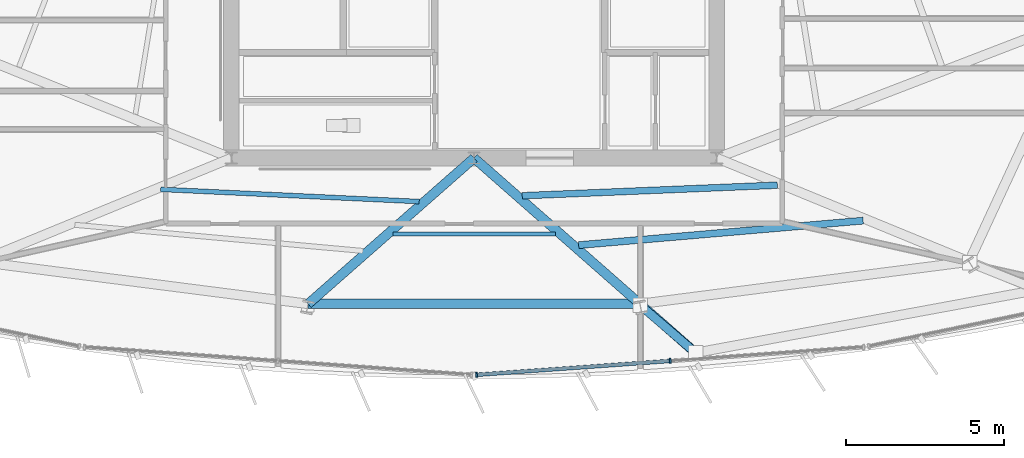
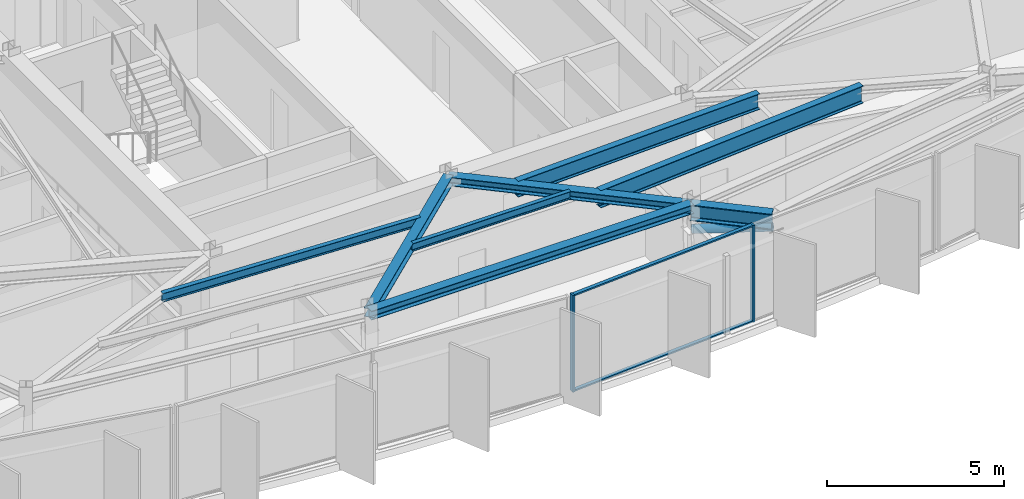
# One storey, part 3 of 13: 8 beams, 5 members, 1 element without a shape of its own.
"""IFC4 building model written with IfcOpenShell, lengths in metres."""

from ifc_helpers import new_model, si_unit, direction, frame, origin, origin_2d, place, context, subcontext, project, spatial, rectangle, hollow_circle, i_section, extrude, material, material_profile, profile_set, type_object, element, aggregate, save


model = new_model("IFC4")

# Units and contexts
model_context = context("Model", 3, precision=1e-05, world=origin(), true_north=direction((0.0, 1.0)))
body_context = subcontext(model_context, "Body", "Model", "MODEL_VIEW")
ifc_project = project(units=[si_unit("LENGTHUNIT", "METRE"), si_unit("AREAUNIT", "SQUARE_METRE"), si_unit("VOLUMEUNIT", "CUBIC_METRE"), si_unit("PLANEANGLEUNIT", "RADIAN"), si_unit("MASSUNIT", "GRAM", prefix="KILO")], contexts=[model_context])

# Site, building, storey
site_placement = place(None, origin())
site = spatial("IfcSite", under=ifc_project, at=site_placement, CompositionType="ELEMENT")
building_placement = place(site_placement, origin())
building = spatial("IfcBuilding", under=site, at=building_placement, Name="Savorim Split Tower", CompositionType="ELEMENT")
storey_placement = place(building_placement, frame((0.0, 0.0, 258.0)))
storey = spatial("IfcBuildingStorey", under=building, at=storey_placement, Name="L68", CompositionType="ELEMENT", Elevation=258.0)

# Beams
ifc_material_1 = material(Name="Steel S355", Category="steel")
ifc_material_profile_1 = material_profile(ifc_material_1, i_section(OverallWidth=0.135009765625, OverallDepth=0.27001953125, WebThickness=0.006591796875, FlangeThickness=0.01025390625, FilletRadius=0.014892578125, at=origin_2d()), Name="IPE 270")
ifc_profile_set_1 = profile_set([ifc_material_profile_1], Name="Steel S355")
beam_type_1 = type_object("IfcBeamType", Name="BM-JST-IPE270", PredefinedType="JOIST", material=ifc_profile_set_1)
beam_1_placement = place(storey_placement, frame((-2.5771484375, -11.806884765625, 3.215087890625), z_axis=(1.0, 0.0, 0.0), x_axis=(0.0, 1.0, 0.0)))
element("IfcBeam", 1, at=beam_1_placement, inside=storey, type_object=beam_type_1, Name="L68 Secondary Floor Joist JS-03", PredefinedType="JOIST", context=body_context, shape_type="SweptSolid", body=[
    extrude(i_section(OverallWidth=0.135009765625, OverallDepth=0.27001953125, WebThickness=0.006591796875, FlangeThickness=0.01025390625, FilletRadius=0.014892578125, at=origin_2d()), origin(), (0.0, 0.0, 1.0), 5.154296875),
])
ifc_material_profile_2 = material_profile(ifc_material_1, i_section(OverallWidth=0.14990234375, OverallDepth=0.300048828125, WebThickness=0.007080078125, FlangeThickness=0.0107421875, FilletRadius=0.014892578125, at=origin_2d()), Name="IPE 300")
ifc_profile_set_2 = profile_set([ifc_material_profile_2], Name="Steel S355")
beam_type_2 = type_object("IfcBeamType", Name="BM-JST-IPE300", PredefinedType="JOIST", material=ifc_profile_set_2)
beam_2_placement = place(storey_placement, frame((-9.94189453125, -10.393798828125, 3.199951171875), z_axis=(0.998887759675, -0.047151283873, 0.0), x_axis=(0.047151283873, 0.998887759675, 0.0)))
element("IfcBeam", 2, at=beam_2_placement, inside=storey, type_object=beam_type_2, Name="L68 Secondary Floor Joist JS-02", PredefinedType="JOIST", context=body_context, shape_type="SweptSolid", body=[
    extrude(i_section(OverallWidth=0.14990234375, OverallDepth=0.300048828125, WebThickness=0.007080078125, FlangeThickness=0.0107421875, FilletRadius=0.014892578125, at=origin_2d()), origin(), (0.0, 0.0, 1.0), 8.2119140625),
])
ifc_material_profile_3 = material_profile(ifc_material_1, i_section(OverallWidth=0.2099609375, OverallDepth=0.550048828125, WebThickness=0.010986328125, FlangeThickness=0.01708984375, FilletRadius=0.02392578125, at=origin_2d()), Name="IPE 550")
ifc_profile_set_3 = profile_set([ifc_material_profile_3], Name="Steel S355")
beam_type_3 = type_object("IfcBeamType", Name="BM-JST-IPE550", PredefinedType="JOIST", material=ifc_profile_set_3)
beam_3_placement = place(storey_placement, frame((1.528564453125, -10.5966796875, 3.074951171875), z_axis=(0.999143333334, 0.041383565015, 0.0), x_axis=(-0.041383565015, 0.999143333334, 0.0)))
element("IfcBeam", 3, at=beam_3_placement, inside=storey, type_object=beam_type_3, Name="L68 Secondary Floor Joist JS-05", PredefinedType="JOIST", context=body_context, shape_type="SweptSolid", body=[
    extrude(i_section(OverallWidth=0.2099609375, OverallDepth=0.550048828125, WebThickness=0.010986328125, FlangeThickness=0.01708984375, FilletRadius=0.02392578125, at=origin_2d()), origin(), (0.0, 0.0, 1.0), 8.099853515625),
])
ifc_material_profile_4 = material_profile(ifc_material_1, i_section(OverallWidth=0.219970703125, OverallDepth=0.60009765625, WebThickness=0.011962890625, FlangeThickness=0.01904296875, FilletRadius=0.02392578125, at=origin_2d()), Name="IPE 600")
ifc_profile_set_4 = profile_set([ifc_material_profile_4], Name="Steel S355")
beam_type_4 = type_object("IfcBeamType", Name="BM-JST-IPE600", PredefinedType="JOIST", material=ifc_profile_set_4)
beam_4_placement = place(storey_placement, frame((3.317626953125, -12.163330078125, 3.050048828125), z_axis=(0.996316845499, 0.085748139197, 0.0), x_axis=(-0.085748139197, 0.996316845499, 0.0)))
element("IfcBeam", 4, at=beam_4_placement, inside=storey, type_object=beam_type_4, Name="L68 Secondary Floor Joist JS-04", PredefinedType="JOIST", context=body_context, shape_type="SweptSolid", body=[
    extrude(i_section(OverallWidth=0.219970703125, OverallDepth=0.60009765625, WebThickness=0.011962890625, FlangeThickness=0.01904296875, FilletRadius=0.02392578125, at=origin_2d()), origin(), (0.0, 0.0, 1.0), 9.059814453125),
])
ifc_material_profile_5 = material_profile(ifc_material_1, i_section(OverallWidth=0.300048828125, OverallDepth=0.300048828125, WebThickness=0.010986328125, FlangeThickness=0.01904296875, FilletRadius=0.027099609375, at=origin_2d()), Name="HEB 300")
ifc_profile_set_5 = profile_set([ifc_material_profile_5], Name="Steel S355")
beam_type_5 = type_object("IfcBeamType", Name="BM-PRI-HEB300", PredefinedType="BEAM", material=ifc_profile_set_5)
for number, where, z_axis, x_axis, name in (
    (5, (-5.263671875, -14.0283203125, 3.199951171875), (0.750969122707, 0.660337320421, 0.0), (-0.660337320421, 0.750969122707, 0.0), "L68 Primary Floor Girder RG-02"),
    (6, (5.263671875, -14.0283203125, 3.199951171875), (-0.750969122707, 0.660337320421, 0.0), (-0.660337320421, -0.750969122707, 0.0), "L68 Primary Floor Girder RG-03"),
):
    element("IfcBeam", number, at=place(storey_placement, frame(where, z_axis=z_axis, x_axis=x_axis)), inside=storey, type_object=beam_type_5, Name=name, PredefinedType="BEAM", context=body_context, shape_type="SweptSolid", body=[
        extrude(i_section(OverallWidth=0.300048828125, OverallDepth=0.300048828125, WebThickness=0.010986328125, FlangeThickness=0.01904296875, FilletRadius=0.027099609375, at=origin_2d()), origin(), (0.0, 0.0, 1.0), 7.00927734375),
    ])
ifc_material_profile_6 = material_profile(ifc_material_1, i_section(OverallWidth=0.300048828125, OverallDepth=0.550048828125, WebThickness=0.014892578125, FlangeThickness=0.029052734375, FilletRadius=0.027099609375, at=origin_2d()), Name="HEB 550")
ifc_profile_set_6 = profile_set([ifc_material_profile_6], Name="Steel S355")
beam_type_6 = type_object("IfcBeamType", Name="BM-PRI-HEB550", PredefinedType="BEAM", material=ifc_profile_set_6)
beam_5_placement = place(storey_placement, frame((5.263671875, -14.0283203125, 3.074951171875), z_axis=(0.750997848076, -0.66030465104, 0.0), x_axis=(0.66030465104, 0.750997848076, 0.0)))
element("IfcBeam", 7, at=beam_5_placement, inside=storey, type_object=beam_type_6, Name="L68 Cantilevered Lounge Rib 1", PredefinedType="BEAM", context=body_context, shape_type="SweptSolid", body=[
    extrude(i_section(OverallWidth=0.300048828125, OverallDepth=0.550048828125, WebThickness=0.014892578125, FlangeThickness=0.029052734375, FilletRadius=0.027099609375, at=origin_2d()), origin(), (0.0, 0.0, 1.0), 2.35009765625),
])
ifc_material_profile_7 = material_profile(ifc_material_1, i_section(OverallWidth=0.300048828125, OverallDepth=0.31005859375, WebThickness=0.009033203125, FlangeThickness=0.015380859375, FilletRadius=0.027099609375, at=origin_2d()), Name="HEA 320")
ifc_profile_set_7 = profile_set([ifc_material_profile_7], Name="Steel S355")
beam_type_7 = type_object("IfcBeamType", Name="BM-SPN-HEA320", PredefinedType="SPANDREL", material=ifc_profile_set_7)
beam_6_placement = place(storey_placement, frame((-5.263671875, -14.0283203125, 3.195068359375), z_axis=(1.0, 0.0, 0.0), x_axis=(0.0, 1.0, 0.0)))
element("IfcBeam", 8, at=beam_6_placement, inside=storey, type_object=beam_type_7, Name="L68 Perimeter Spandrel Beam 2", PredefinedType="SPANDREL", context=body_context, shape_type="SweptSolid", body=[
    extrude(i_section(OverallWidth=0.300048828125, OverallDepth=0.31005859375, WebThickness=0.009033203125, FlangeThickness=0.015380859375, FilletRadius=0.027099609375, at=origin_2d()), origin(), (0.0, 0.0, 1.0), 10.52734375),
])

# Curtain wall, members
ifc_material_2 = material(Name="Dark Ceramic-Fritted Insulated Glass", Category="glass")
curtain_wall_type = type_object("IfcCurtainWallType", Name="CW-TWR-FRIT-B", PredefinedType="NOTDEFINED", material=ifc_material_2)
curtain_wall_placement = place(storey_placement, origin())
curtain_wall = element("IfcCurtainWall", 9, at=curtain_wall_placement, inside=storey, type_object=curtain_wall_type, Name="L68 Curtain Wall CW-L68-SF3", PredefinedType="NOTDEFINED")
ifc_material_3 = material(Name="Charcoal Anodised Aluminium", Category="aluminium")
ifc_material_profile_8 = material_profile(ifc_material_3, rectangle(XDim=0.159912109375, YDim=0.06005859375, at=origin_2d()), Name="ALU-M 160x60")
ifc_profile_set_8 = profile_set([ifc_material_profile_8], Name="Charcoal Anodised Aluminium")
member_type_1 = type_object("IfcMemberType", Name="CWM-160x60", PredefinedType="MULLION", material=ifc_profile_set_8)
member_1_placement = place(storey_placement, frame((0.081298828125, -16.277099609375, 0.0), z_axis=(0.0, 0.0, 1.0), x_axis=(-0.071562386711, 0.997436125678, 0.0)))
member_1 = element("IfcMember", 10, at=member_1_placement, type_object=member_type_1, Name="CW-03 mullion 1", PredefinedType="MULLION", context=body_context, shape_type="SweptSolid", body=[
    extrude(rectangle(XDim=0.159912109375, YDim=0.06005859375, at=origin_2d()), origin(), (0.0, 0.0, 1.0), 3.35009765625),
])
member_2_placement = place(storey_placement, frame((6.2216796875, -15.83642578125, 0.0), z_axis=(0.0, 0.0, 1.0), x_axis=(-0.071562386711, 0.997436125678, 0.0)))
member_2 = element("IfcMember", 11, at=member_2_placement, type_object=member_type_1, Name="CW-03 mullion 2", PredefinedType="MULLION", context=body_context, shape_type="SweptSolid", body=[
    extrude(rectangle(XDim=0.159912109375, YDim=0.06005859375, at=origin_2d()), origin(), (0.0, 0.0, 1.0), 3.35009765625),
])
ifc_material_profile_9 = material_profile(ifc_material_3, rectangle(XDim=0.1201171875, YDim=0.050048828125, at=origin_2d()), Name="ALU-T 120x50")
ifc_profile_set_9 = profile_set([ifc_material_profile_9], Name="Charcoal Anodised Aluminium")
member_type_2 = type_object("IfcMemberType", Name="CWT-120x50", PredefinedType="USERDEFINED", material=ifc_profile_set_9)
member_3_placement = place(storey_placement, frame((0.111083984375, -16.27490234375, 0.02490234375), z_axis=(0.997435880483, 0.071565804161, 0.0), x_axis=(-0.071565804161, 0.997435880483, 0.0)))
member_3 = element("IfcMember", 12, at=member_3_placement, type_object=member_type_2, Name="CW-03 transom 1.1", ObjectType="TRANSOM", PredefinedType="USERDEFINED", context=body_context, shape_type="SweptSolid", body=[
    extrude(rectangle(XDim=0.1201171875, YDim=0.050048828125, at=origin_2d()), origin(), (0.0, 0.0, 1.0), 6.09619140625),
])
member_4_placement = place(storey_placement, frame((0.111083984375, -16.27490234375, 3.324951171875), z_axis=(0.997435880483, 0.071565804161, 0.0), x_axis=(-0.071565804161, 0.997435880483, 0.0)))
member_4 = element("IfcMember", 13, at=member_4_placement, type_object=member_type_2, Name="CW-03 transom 1.2", ObjectType="TRANSOM", PredefinedType="USERDEFINED", context=body_context, shape_type="SweptSolid", body=[
    extrude(rectangle(XDim=0.1201171875, YDim=0.050048828125, at=origin_2d()), origin(), (0.0, 0.0, 1.0), 6.09619140625),
])
aggregate(curtain_wall, [member_1, member_2, member_3, member_4])

# Member
ifc_material_profile_10 = material_profile(ifc_material_1, hollow_circle(Radius=0.136474609375, WallThickness=0.01611328125, at=origin_2d()), Name="CHS 273x16")
ifc_profile_set_10 = profile_set([ifc_material_profile_10], Name="Steel S355")
member_type_3 = type_object("IfcMemberType", Name="MBR-CRN-CHS273", PredefinedType="BRACE", material=ifc_profile_set_10)
member_5_placement = place(storey_placement, frame((5.271728515625, -14.06884765625, 2.449951171875), z_axis=(0.748622292228, -0.643964979001, 0.157714201642), x_axis=(0.652126472103, 0.758110192771, 0.0)))
element("IfcMember", 14, at=member_5_placement, inside=storey, type_object=member_type_3, Name="L68 Cantilevered Bay Support Strut 1", PredefinedType="BRACE", context=body_context, shape_type="SweptSolid", body=[
    extrude(hollow_circle(Radius=0.136474609375, WallThickness=0.01611328125, at=origin_2d()), origin(), (0.0, 0.0, 1.0), 2.3466796875),
])

save(model, "model.ifc")
